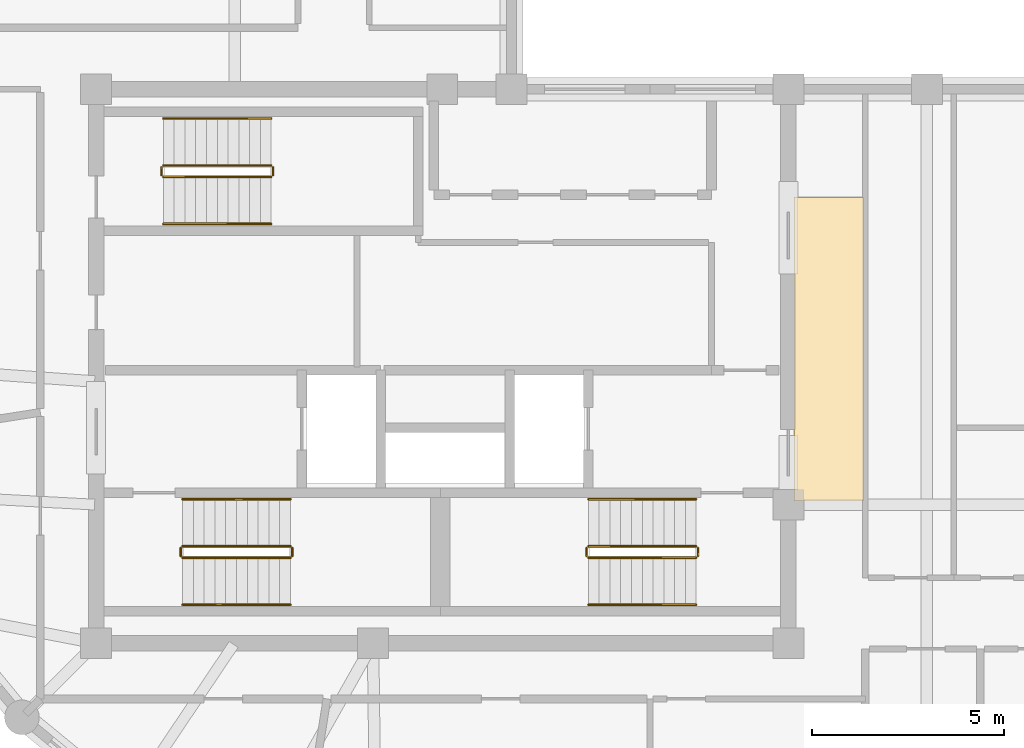
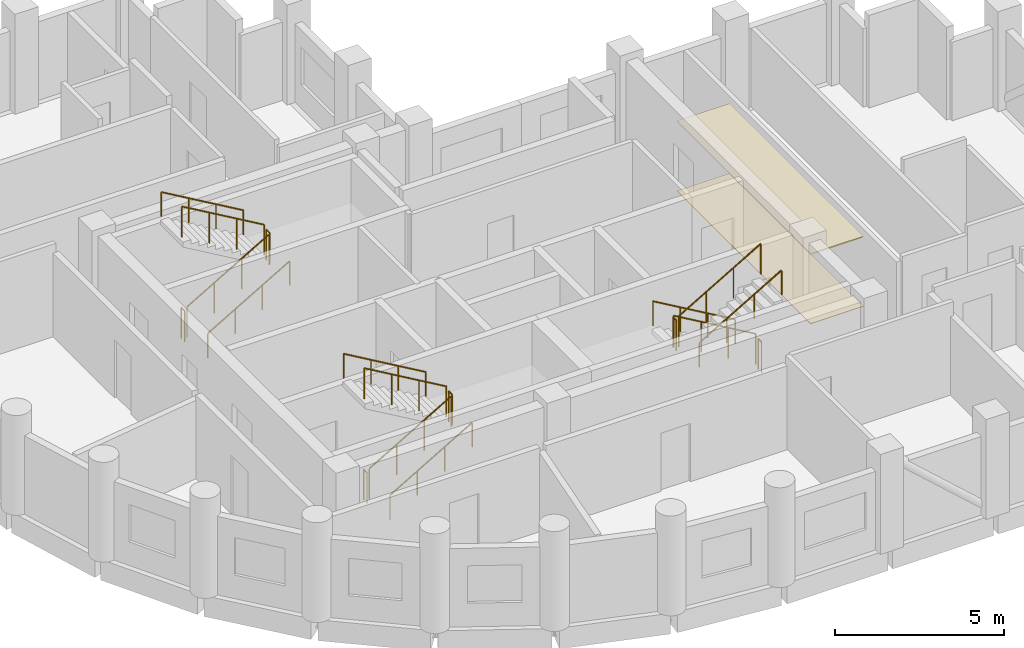
# One storey, part 6 of 6: 18 railings, 2 coverings.
"""IFC4 building model written with IfcOpenShell, lengths in metres."""

import ifcopenshell
import ifcopenshell.guid

model = None  # the IFC model being written
_history = None  # IfcOwnerHistory: only IFC2X3 demands one
_inside = {}  # id of a spatial element -> (the spatial element, [elements in it])
_under = {}  # id of a project, library or spatial element -> (it, [spatial elements below it])
_declared = {}  # id of a project -> (the project, [libraries it declares])
_typed = {}  # id of a type object -> (the type object, [elements of that type])
_made_of = {}  # id of a material, layer set ... -> (it, [elements and type objects made of it])


def new_model(schema):
    """Start an empty IFC model of exactly this schema.

    Asked for "IFC4X3", IfcOpenShell would pick the latest addendum, in which some entities
    have other attributes; the version numbers below select the first issue.
    IFC2X3 requires an IfcOwnerHistory on every rooted entity: one is made here for all.
    """
    global model, _history
    if schema == "IFC4X3":
        model = ifcopenshell.file(schema_version=(4, 3, 0, 0))
    else:
        model = ifcopenshell.file(schema=schema)
    _inside.clear()
    _under.clear()
    _declared.clear()
    _typed.clear()
    _made_of.clear()
    _history = None
    if model.schema == "IFC2X3":
        org = make("IfcOrganization", Name="unknown")
        user = make(
            "IfcPersonAndOrganization",
            ThePerson=make("IfcPerson", FamilyName="unknown"),
            TheOrganization=org,
        )
        app = make(
            "IfcApplication",
            ApplicationDeveloper=org,
            Version="unknown",
            ApplicationFullName="unknown",
            ApplicationIdentifier="unknown",
        )
        _history = make(
            "IfcOwnerHistory",
            OwningUser=user,
            OwningApplication=app,
            ChangeAction="ADDED",
            CreationDate=0,
        )
    return model


def make(cls, **values):
    """One entity of the class cls with the attributes given. An attribute that is None is left unset."""
    return model.create_entity(
        cls, **{name: value for name, value in values.items() if value is not None}
    )


def rooted(cls, **values):
    """An entity with a GlobalId (a new one), such as an element, a storey or a relation."""
    return make(cls, GlobalId=ifcopenshell.guid.new(), OwnerHistory=_history, **values)


def si_unit(unit_type, name, prefix=None):
    """IfcSIUnit, for example si_unit("LENGTHUNIT", "METRE", prefix="MILLI")."""
    return make("IfcSIUnit", UnitType=unit_type, Prefix=prefix, Name=name)


def assignment(units):
    """IfcUnitAssignment: the units of a project."""
    return None if units is None else make("IfcUnitAssignment", Units=units)


def point(xyz):
    """IfcCartesianPoint."""
    return None if xyz is None else make("IfcCartesianPoint", Coordinates=xyz)


def direction(xyz):
    """IfcDirection."""
    return None if xyz is None else make("IfcDirection", DirectionRatios=xyz)


def frame(location, z_axis=None, x_axis=None):
    """IfcAxis2Placement3D, a coordinate frame: its origin and axes. An axis left out is left unset."""
    return make(
        "IfcAxis2Placement3D",
        Location=point(location),
        Axis=direction(z_axis),
        RefDirection=direction(x_axis),
    )


def frame_2d(location, x_axis=None):
    """IfcAxis2Placement2D, a coordinate frame in the plane: its origin and x axis."""
    return make(
        "IfcAxis2Placement2D", Location=point(location), RefDirection=direction(x_axis)
    )


def origin():
    """The frame at (0, 0, 0) with its axes left unset."""
    return frame((0.0, 0.0, 0.0))


def origin_2d():
    """The frame at (0, 0) in the plane with its x axis left unset."""
    return frame_2d((0.0, 0.0))


def place(relative_to, where):
    """IfcLocalPlacement: puts the frame where relative to a parent placement (None: the world)."""
    return make(
        "IfcLocalPlacement", PlacementRelTo=relative_to, RelativePlacement=where
    )


def context(
    kind, dimensions, precision=None, world=None, true_north=None, identifier=None
):
    """IfcGeometricRepresentationContext, for example the 3D "Model" context."""
    return make(
        "IfcGeometricRepresentationContext",
        ContextIdentifier=identifier,
        ContextType=kind,
        CoordinateSpaceDimension=dimensions,
        Precision=precision,
        WorldCoordinateSystem=world,
        TrueNorth=true_north,
    )


def subcontext(parent, identifier, kind, view, scale=None):
    """IfcGeometricRepresentationSubContext, for example "Body" below "Model"."""
    return make(
        "IfcGeometricRepresentationSubContext",
        ContextIdentifier=identifier,
        ContextType=kind,
        ParentContext=parent,
        TargetScale=scale,
        TargetView=view,
    )


def project(units=None, contexts=None):
    """IfcProject with its units and contexts."""
    return rooted(
        "IfcProject",
        Name="project",
        RepresentationContexts=contexts,
        UnitsInContext=assignment(units),
    )


def spatial(cls, under=None, at=None, **own):
    """A site, building, storey or space (cls), placed at a placement, below another one or the project."""
    s = rooted(cls, ObjectPlacement=at, **own)
    if under is not None:
        _under.setdefault(under.id(), (under, []))[1].append(s)
    return s


def polyline(points):
    """IfcPolyline through the points."""
    return make("IfcPolyline", Points=[point(p) for p in points])


def profile(cls, at=None, kind="AREA", **sizes):
    """A parametric profile (cls). Its sizes go by their IFC names, for example OverallWidth=200.0."""
    return make(cls, ProfileType=kind, Position=at, **sizes)


def circle(**sizes):
    """IfcCircleProfileDef."""
    return profile("IfcCircleProfileDef", **sizes)


def outline(outer, holes=None, kind="AREA"):
    """IfcArbitraryClosedProfileDef: a profile drawn as a closed curve; with holes, ...WithVoids."""
    if holes is None:
        return make("IfcArbitraryClosedProfileDef", ProfileType=kind, OuterCurve=outer)
    return make(
        "IfcArbitraryProfileDefWithVoids",
        ProfileType=kind,
        OuterCurve=outer,
        InnerCurves=holes,
    )


def extrude(swept, where, along, depth):
    """IfcExtrudedAreaSolid: the profile swept, set in the frame where, extruded along a direction by depth."""
    return make(
        "IfcExtrudedAreaSolid",
        SweptArea=swept,
        Position=where,
        ExtrudedDirection=direction(along),
        Depth=depth,
    )


def shape(context_of_items, identifier, shape_type, items):
    """IfcShapeRepresentation: the items that make up one representation, for example the "Body"."""
    return make(
        "IfcShapeRepresentation",
        ContextOfItems=context_of_items,
        RepresentationIdentifier=identifier,
        RepresentationType=shape_type,
        Items=items,
    )


def material(Name=None, Category=None):
    """IfcMaterial."""
    return make("IfcMaterial", Name=Name, Category=Category)


def layer(
    of_material, thickness, ventilated=None, Name=None, Category=None, Priority=None
):
    """IfcMaterialLayer: one layer of a wall or slab, of a material (None: an air gap)."""
    return make(
        "IfcMaterialLayer",
        Material=of_material,
        LayerThickness=thickness,
        IsVentilated=ventilated,
        Name=Name,
        Category=Category,
        Priority=Priority,
    )


def layer_set(layers, Name=None):
    """IfcMaterialLayerSet."""
    return make("IfcMaterialLayerSet", MaterialLayers=layers, LayerSetName=Name)


def made_of(thing, what):
    """Note that an element or type object is made of a material, layer set ...; save() writes the relation."""
    if what is not None:
        _made_of.setdefault(what.id(), (what, []))[1].append(thing)
    return thing


def type_object(cls, material=None, **own):
    """A type object (cls), such as IfcWallType, which elements share."""
    return made_of(rooted(cls, **own), material)


def element(
    cls,
    number,
    at=None,
    inside=None,
    cuts=None,
    type_object=None,
    material=None,
    context=None,
    identifier="Body",
    shape_type=None,
    held_by="IfcProductDefinitionShape",
    body=None,
    shapes=None,
    **own,
):
    """One element of the class cls, such as IfcWall. Its Tag is "e" and its number.

    at: its placement. inside: the storey or other place that contains it. cuts: it is an
    opening in that element (IfcRelVoidsElement). A single representation is given by context,
    identifier, shape_type and body (its items); several are given by shapes. held_by: the class
    of the entity that holds the representations. save() writes the other relations.
    """
    e = rooted(cls, Tag="e%d" % number, ObjectPlacement=at, **own)
    if body is not None:
        shapes = [shape(context, identifier, shape_type, body)]
    if shapes is not None:
        e.Representation = make(held_by, Representations=shapes)
    if inside is not None:
        _inside.setdefault(inside.id(), (inside, []))[1].append(e)
    if cuts is not None:
        rooted(
            "IfcRelVoidsElement", RelatingBuildingElement=cuts, RelatedOpeningElement=e
        )
    if type_object is not None:
        _typed.setdefault(type_object.id(), (type_object, []))[1].append(e)
    return made_of(e, material)


def aggregate(whole, parts):
    """IfcRelAggregates: a whole, such as a stair, and the parts it consists of."""
    return rooted("IfcRelAggregates", RelatingObject=whole, RelatedObjects=parts)


def save(model, path):
    """Write the relations noted so far, then the file.

    IfcRelAggregates (storeys below a building ...), IfcRelContainedInSpatialStructure (elements
    in a storey), IfcRelDefinesByType, IfcRelAssociatesMaterial and IfcRelDeclares: one each for
    every whole, place, type object, material and project.
    """
    for whole, parts in _under.values():
        aggregate(whole, parts)
    for where, things in _inside.values():
        rooted(
            "IfcRelContainedInSpatialStructure",
            RelatedElements=things,
            RelatingStructure=where,
        )
    for kind, things in _typed.values():
        rooted("IfcRelDefinesByType", RelatedObjects=things, RelatingType=kind)
    for what, things in _made_of.values():
        rooted("IfcRelAssociatesMaterial", RelatedObjects=things, RelatingMaterial=what)
    for by, libraries in _declared.values():
        rooted("IfcRelDeclares", RelatingContext=by, RelatedDefinitions=libraries)
    model.write(path)


model = new_model("IFC4")

# Units and contexts
model_context = context("Model", 3, precision=1e-05, world=origin(), true_north=direction((0.0, 1.0)))
body_context = subcontext(model_context, "Body", "Model", "MODEL_VIEW")
ifc_project = project(units=[si_unit("LENGTHUNIT", "METRE"), si_unit("AREAUNIT", "SQUARE_METRE"), si_unit("VOLUMEUNIT", "CUBIC_METRE"), si_unit("PLANEANGLEUNIT", "RADIAN"), si_unit("MASSUNIT", "GRAM", prefix="KILO")], contexts=[model_context])

# Site, building, storey
site_placement = place(None, origin())
site = spatial("IfcSite", under=ifc_project, at=site_placement, CompositionType="ELEMENT")
building_placement = place(site_placement, origin())
building = spatial("IfcBuilding", under=site, at=building_placement, Name="Solnavia Interchange Tower", CompositionType="ELEMENT")
storey_placement = place(building_placement, frame((0.0, 0.0, 231.800048828125)))
storey = spatial("IfcBuildingStorey", under=building, at=storey_placement, Name="L58", CompositionType="ELEMENT", Elevation=231.800048828125)

# Coverings
ifc_material_1 = material(Name="Perforated Mineral-Fibre & Gypsum Ceiling", Category="gypsum")
ifc_layer_1 = layer(ifc_material_1, 0.0400390625)
ifc_layer_set_1 = layer_set([ifc_layer_1], Name="Perforated Mineral-Fibre & Gypsum Ceiling")
covering_type_1 = type_object("IfcCoveringType", Name="Covering-Ceiling-Acoustic40", PredefinedType="CEILING", material=ifc_layer_set_1)
covering_1_placement = place(storey_placement, frame((0.0, 0.0, 2.5)))
element("IfcCovering", 1, at=covering_1_placement, inside=storey, type_object=covering_type_1, Name="CLG-L58-01 Circulation suspended acoustic ceiling", PredefinedType="CEILING", context=body_context, shape_type="SweptSolid", body=[
    extrude(outline(polyline([(32.550048828125, 14.5), (34.35009765625, 14.5), (34.35009765625, 22.39990234375), (32.550048828125, 22.39990234375), (32.550048828125, 14.5)])), origin(), (0.0, 0.0, 1.0), 0.0400390625),
])
ifc_material_2 = material(Name="Engineered European Oak Flooring", Category="wood")
ifc_layer_2 = layer(ifc_material_2, 0.02001953125)
ifc_layer_set_2 = layer_set([ifc_layer_2], Name="Engineered European Oak Flooring")
covering_type_2 = type_object("IfcCoveringType", Name="Covering-Flooring-Timber20", PredefinedType="FLOORING", material=ifc_layer_set_2)
covering_2_placement = place(storey_placement, origin())
element("IfcCovering", 2, at=covering_2_placement, inside=storey, type_object=covering_type_2, Name="FLR-L58-01 Circulation floor finish", PredefinedType="FLOORING", context=body_context, shape_type="SweptSolid", body=[
    extrude(outline(polyline([(32.550048828125, 14.5), (34.35009765625, 14.5), (34.35009765625, 22.39990234375), (32.550048828125, 22.39990234375), (32.550048828125, 14.5)])), origin(), (0.0, 0.0, 1.0), 0.02001953125),
])

# Railings
ifc_material_3 = material(Name="Painted Steel Balustrade", Category="steel")
railing_type_1 = type_object("IfcRailingType", Name="Railing-StairGuard-1100", PredefinedType="GUARDRAIL", material=ifc_material_3)
railing_1_placement = place(storey_placement, frame((16.64990234375, 13.02001953125, 0.16357421875)))
element("IfcRailing", 3, at=railing_1_placement, inside=storey, type_object=railing_type_1, Name="L58 ST-1 stair guard 1", PredefinedType="GUARDRAIL", context=body_context, shape_type="SweptSolid", body=[
    extrude(circle(Radius=0.02392578125, at=origin_2d()), frame((0.0, 0.0, 1.09619140625), z_axis=(0.863360870873, 0.0, 0.504586966384), x_axis=(0.0, 1.0, 0.0)), (0.0, 0.0, 1.0), 3.2431640625),
    extrude(circle(Radius=0.02099609375, at=origin_2d()), origin(), (0.0, 0.0, 1.0), 1.072021484375),
    extrude(circle(Radius=0.02099609375, at=origin_2d()), frame((0.933349609375, 0.0, 0.54541015625)), (0.0, 0.0, 1.0), 1.072021484375),
    extrude(circle(Radius=0.02099609375, at=origin_2d()), frame((1.86669921875, 0.0, 1.091064453125)), (0.0, 0.0, 1.0), 1.072021484375),
    extrude(circle(Radius=0.02099609375, at=origin_2d()), frame((2.800048828125, 0.0, 1.636474609375)), (0.0, 0.0, 1.0), 1.072021484375),
])
railing_2_placement = place(storey_placement, frame((19.5, 13.070068359375, 1.800048828125)))
element("IfcRailing", 4, at=railing_2_placement, inside=storey, type_object=railing_type_1, Name="L58 ST-1 stair guard 2", PredefinedType="GUARDRAIL", context=body_context, shape_type="SweptSolid", body=[
    extrude(circle(Radius=0.02392578125, at=origin_2d()), frame((0.0, 0.0, 1.09619140625), z_axis=(0.0, 1.0, 0.0), x_axis=(-1.0, 0.0, 0.0)), (0.0, 0.0, 1.0), 0.199951171875),
    extrude(circle(Radius=0.02099609375, at=origin_2d()), origin(), (0.0, 0.0, 1.0), 1.072021484375),
    extrude(circle(Radius=0.02099609375, at=origin_2d()), frame((0.0, 0.199951171875, 0.0)), (0.0, 0.0, 1.0), 1.072021484375),
])
railing_3_placement = place(storey_placement, frame((19.449951171875, 13.320068359375, 1.963623046875)))
element("IfcRailing", 5, at=railing_3_placement, inside=storey, type_object=railing_type_1, Name="L58 ST-1 stair guard 3", PredefinedType="GUARDRAIL", context=body_context, shape_type="SweptSolid", body=[
    extrude(circle(Radius=0.02392578125, at=origin_2d()), frame((0.0, 0.0, 1.09619140625), z_axis=(-0.863393664356, 0.0, 0.504530851732), x_axis=(0.0, -1.0, 0.0)), (0.0, 0.0, 1.0), 3.2431640625),
    extrude(circle(Radius=0.02099609375, at=origin_2d()), origin(), (0.0, 0.0, 1.0), 1.072021484375),
    extrude(circle(Radius=0.02099609375, at=origin_2d()), frame((-0.933349609375, 0.0, 0.54541015625)), (0.0, 0.0, 1.0), 1.072021484375),
    extrude(circle(Radius=0.02099609375, at=origin_2d()), frame((-1.86669921875, 0.0, 1.0908203125)), (0.0, 0.0, 1.0), 1.072021484375),
    extrude(circle(Radius=0.02099609375, at=origin_2d()), frame((-2.800048828125, 0.0, 1.63623046875)), (0.0, 0.0, 1.0), 1.072021484375),
])
railing_4_placement = place(storey_placement, frame((16.60009765625, 13.070068359375, 0.0)))
element("IfcRailing", 6, at=railing_4_placement, inside=storey, type_object=railing_type_1, Name="L58 ST-1 stair guard 4", PredefinedType="GUARDRAIL", context=body_context, shape_type="SweptSolid", body=[
    extrude(circle(Radius=0.02392578125, at=origin_2d()), frame((0.0, 0.0, 1.09619140625), z_axis=(0.0, 1.0, 0.0), x_axis=(-1.0, 0.0, 0.0)), (0.0, 0.0, 1.0), 0.199951171875),
    extrude(circle(Radius=0.02099609375, at=origin_2d()), origin(), (0.0, 0.0, 1.0), 1.072021484375),
    extrude(circle(Radius=0.02099609375, at=origin_2d()), frame((0.0, 0.199951171875, 0.0)), (0.0, 0.0, 1.0), 1.072021484375),
])
railing_5_placement = place(storey_placement, frame((30.0, 13.320068359375, 0.16357421875)))
element("IfcRailing", 7, at=railing_5_placement, inside=storey, type_object=railing_type_1, Name="L58 ST-2 stair guard 1", PredefinedType="GUARDRAIL", context=body_context, shape_type="SweptSolid", body=[
    extrude(circle(Radius=0.02392578125, at=origin_2d()), frame((0.0, 0.0, 1.09619140625), z_axis=(-0.863360870873, 0.0, 0.504586966384), x_axis=(0.0, -1.0, 0.0)), (0.0, 0.0, 1.0), 3.2431640625),
    extrude(circle(Radius=0.02099609375, at=origin_2d()), origin(), (0.0, 0.0, 1.0), 1.072021484375),
    extrude(circle(Radius=0.02099609375, at=origin_2d()), frame((-0.933349609375, 0.0, 0.54541015625)), (0.0, 0.0, 1.0), 1.072021484375),
    extrude(circle(Radius=0.02099609375, at=origin_2d()), frame((-1.86669921875, 0.0, 1.091064453125)), (0.0, 0.0, 1.0), 1.072021484375),
    extrude(circle(Radius=0.02099609375, at=origin_2d()), frame((-2.800048828125, 0.0, 1.636474609375)), (0.0, 0.0, 1.0), 1.072021484375),
])
railing_6_placement = place(storey_placement, frame((27.14990234375, 13.27001953125, 1.800048828125)))
element("IfcRailing", 8, at=railing_6_placement, inside=storey, type_object=railing_type_1, Name="L58 ST-2 stair guard 2", PredefinedType="GUARDRAIL", context=body_context, shape_type="SweptSolid", body=[
    extrude(circle(Radius=0.02392578125, at=origin_2d()), frame((0.0, 0.0, 1.09619140625), z_axis=(0.0, -1.0, 0.0), x_axis=(1.0, 0.0, 0.0)), (0.0, 0.0, 1.0), 0.199951171875),
    extrude(circle(Radius=0.02099609375, at=origin_2d()), origin(), (0.0, 0.0, 1.0), 1.072021484375),
    extrude(circle(Radius=0.02099609375, at=origin_2d()), frame((0.0, -0.199951171875, 0.0)), (0.0, 0.0, 1.0), 1.072021484375),
])
railing_7_placement = place(storey_placement, frame((27.199951171875, 13.02001953125, 1.963623046875)))
element("IfcRailing", 9, at=railing_7_placement, inside=storey, type_object=railing_type_1, Name="L58 ST-2 stair guard 3", PredefinedType="GUARDRAIL", context=body_context, shape_type="SweptSolid", body=[
    extrude(circle(Radius=0.02392578125, at=origin_2d()), frame((0.0, 0.0, 1.09619140625), z_axis=(0.863393664356, 0.0, 0.504530851732), x_axis=(0.0, 1.0, 0.0)), (0.0, 0.0, 1.0), 3.2431640625),
    extrude(circle(Radius=0.02099609375, at=origin_2d()), origin(), (0.0, 0.0, 1.0), 1.072021484375),
    extrude(circle(Radius=0.02099609375, at=origin_2d()), frame((0.933349609375, 0.0, 0.54541015625)), (0.0, 0.0, 1.0), 1.072021484375),
    extrude(circle(Radius=0.02099609375, at=origin_2d()), frame((1.86669921875, 0.0, 1.0908203125)), (0.0, 0.0, 1.0), 1.072021484375),
    extrude(circle(Radius=0.02099609375, at=origin_2d()), frame((2.800048828125, 0.0, 1.63623046875)), (0.0, 0.0, 1.0), 1.072021484375),
])
railing_8_placement = place(storey_placement, frame((30.050048828125, 13.27001953125, 0.0)))
element("IfcRailing", 10, at=railing_8_placement, inside=storey, type_object=railing_type_1, Name="L58 ST-2 stair guard 4", PredefinedType="GUARDRAIL", context=body_context, shape_type="SweptSolid", body=[
    extrude(circle(Radius=0.02392578125, at=origin_2d()), frame((0.0, 0.0, 1.09619140625), z_axis=(0.0, -1.0, 0.0), x_axis=(1.0, 0.0, 0.0)), (0.0, 0.0, 1.0), 0.199951171875),
    extrude(circle(Radius=0.02099609375, at=origin_2d()), origin(), (0.0, 0.0, 1.0), 1.072021484375),
    extrude(circle(Radius=0.02099609375, at=origin_2d()), frame((0.0, -0.199951171875, 0.0)), (0.0, 0.0, 1.0), 1.072021484375),
])
railing_9_placement = place(storey_placement, frame((16.14990234375, 22.919921875, 0.16357421875)))
element("IfcRailing", 11, at=railing_9_placement, inside=storey, type_object=railing_type_1, Name="L58 ST-3 stair guard 1", PredefinedType="GUARDRAIL", context=body_context, shape_type="SweptSolid", body=[
    extrude(circle(Radius=0.02392578125, at=origin_2d()), frame((0.0, 0.0, 1.09619140625), z_axis=(0.863360870873, 0.0, 0.504586966384), x_axis=(0.0, 1.0, 0.0)), (0.0, 0.0, 1.0), 3.2431640625),
    extrude(circle(Radius=0.02099609375, at=origin_2d()), origin(), (0.0, 0.0, 1.0), 1.072021484375),
    extrude(circle(Radius=0.02099609375, at=origin_2d()), frame((0.933349609375, 0.0, 0.54541015625)), (0.0, 0.0, 1.0), 1.072021484375),
    extrude(circle(Radius=0.02099609375, at=origin_2d()), frame((1.86669921875, 0.0, 1.091064453125)), (0.0, 0.0, 1.0), 1.072021484375),
    extrude(circle(Radius=0.02099609375, at=origin_2d()), frame((2.800048828125, 0.0, 1.636474609375)), (0.0, 0.0, 1.0), 1.072021484375),
])
railing_10_placement = place(storey_placement, frame((19.0, 22.969970703125, 1.800048828125)))
element("IfcRailing", 12, at=railing_10_placement, inside=storey, type_object=railing_type_1, Name="L58 ST-3 stair guard 2", PredefinedType="GUARDRAIL", context=body_context, shape_type="SweptSolid", body=[
    extrude(circle(Radius=0.02392578125, at=origin_2d()), frame((0.0, 0.0, 1.09619140625), z_axis=(0.0, 1.0, 0.0), x_axis=(-1.0, 0.0, 0.0)), (0.0, 0.0, 1.0), 0.199951171875),
    extrude(circle(Radius=0.02099609375, at=origin_2d()), origin(), (0.0, 0.0, 1.0), 1.072021484375),
    extrude(circle(Radius=0.02099609375, at=origin_2d()), frame((0.0, 0.199951171875, 0.0)), (0.0, 0.0, 1.0), 1.072021484375),
])
railing_11_placement = place(storey_placement, frame((18.949951171875, 23.219970703125, 1.963623046875)))
element("IfcRailing", 13, at=railing_11_placement, inside=storey, type_object=railing_type_1, Name="L58 ST-3 stair guard 3", PredefinedType="GUARDRAIL", context=body_context, shape_type="SweptSolid", body=[
    extrude(circle(Radius=0.02392578125, at=origin_2d()), frame((0.0, 0.0, 1.09619140625), z_axis=(-0.863393664356, 0.0, 0.504530851732), x_axis=(0.0, -1.0, 0.0)), (0.0, 0.0, 1.0), 3.2431640625),
    extrude(circle(Radius=0.02099609375, at=origin_2d()), origin(), (0.0, 0.0, 1.0), 1.072021484375),
    extrude(circle(Radius=0.02099609375, at=origin_2d()), frame((-0.933349609375, 0.0, 0.54541015625)), (0.0, 0.0, 1.0), 1.072021484375),
    extrude(circle(Radius=0.02099609375, at=origin_2d()), frame((-1.86669921875, 0.0, 1.0908203125)), (0.0, 0.0, 1.0), 1.072021484375),
    extrude(circle(Radius=0.02099609375, at=origin_2d()), frame((-2.800048828125, 0.0, 1.63623046875)), (0.0, 0.0, 1.0), 1.072021484375),
])
railing_12_placement = place(storey_placement, frame((16.10009765625, 22.969970703125, 0.0)))
element("IfcRailing", 14, at=railing_12_placement, inside=storey, type_object=railing_type_1, Name="L58 ST-3 stair guard 4", PredefinedType="GUARDRAIL", context=body_context, shape_type="SweptSolid", body=[
    extrude(circle(Radius=0.02392578125, at=origin_2d()), frame((0.0, 0.0, 1.09619140625), z_axis=(0.0, 1.0, 0.0), x_axis=(-1.0, 0.0, 0.0)), (0.0, 0.0, 1.0), 0.199951171875),
    extrude(circle(Radius=0.02099609375, at=origin_2d()), origin(), (0.0, 0.0, 1.0), 1.072021484375),
    extrude(circle(Radius=0.02099609375, at=origin_2d()), frame((0.0, 0.199951171875, 0.0)), (0.0, 0.0, 1.0), 1.072021484375),
])
ifc_material_4 = material(Name="Brushed Stainless Steel", Category="steel")
railing_type_2 = type_object("IfcRailingType", Name="Railing-StairHandrail-900", PredefinedType="HANDRAIL", material=ifc_material_4)
railing_13_placement = place(storey_placement, frame((16.64990234375, 11.800048828125, 0.16357421875)))
element("IfcRailing", 15, at=railing_13_placement, inside=storey, type_object=railing_type_2, Name="L58 ST-1 stair handrail 1", PredefinedType="HANDRAIL", context=body_context, shape_type="SweptSolid", body=[
    extrude(circle(Radius=0.02392578125, at=origin_2d()), frame((0.0, 0.0, 0.8759765625), z_axis=(0.863360870873, 0.0, 0.504586966384), x_axis=(0.0, 1.0, 0.0)), (0.0, 0.0, 1.0), 3.2431640625),
    extrude(circle(Radius=0.02099609375, at=origin_2d()), origin(), (0.0, 0.0, 1.0), 0.851806640625),
    extrude(circle(Radius=0.02099609375, at=origin_2d()), frame((0.933349609375, 0.0, 0.54541015625)), (0.0, 0.0, 1.0), 0.851806640625),
    extrude(circle(Radius=0.02099609375, at=origin_2d()), frame((1.86669921875, 0.0, 1.091064453125)), (0.0, 0.0, 1.0), 0.851806640625),
    extrude(circle(Radius=0.02099609375, at=origin_2d()), frame((2.800048828125, 0.0, 1.636474609375)), (0.0, 0.0, 1.0), 0.851806640625),
])
railing_14_placement = place(storey_placement, frame((19.449951171875, 14.5400390625, 1.963623046875)))
element("IfcRailing", 16, at=railing_14_placement, inside=storey, type_object=railing_type_2, Name="L58 ST-1 stair handrail 2", PredefinedType="HANDRAIL", context=body_context, shape_type="SweptSolid", body=[
    extrude(circle(Radius=0.02392578125, at=origin_2d()), frame((0.0, 0.0, 0.8759765625), z_axis=(-0.863393664356, 0.0, 0.504530851732), x_axis=(0.0, -1.0, 0.0)), (0.0, 0.0, 1.0), 3.2431640625),
    extrude(circle(Radius=0.02099609375, at=origin_2d()), origin(), (0.0, 0.0, 1.0), 0.851806640625),
    extrude(circle(Radius=0.02099609375, at=origin_2d()), frame((-0.933349609375, 0.0, 0.54541015625)), (0.0, 0.0, 1.0), 0.851806640625),
    extrude(circle(Radius=0.02099609375, at=origin_2d()), frame((-1.86669921875, 0.0, 1.0908203125)), (0.0, 0.0, 1.0), 0.851806640625),
    extrude(circle(Radius=0.02099609375, at=origin_2d()), frame((-2.800048828125, 0.0, 1.63623046875)), (0.0, 0.0, 1.0), 0.851806640625),
])
railing_15_placement = place(storey_placement, frame((30.0, 14.5400390625, 0.16357421875)))
element("IfcRailing", 17, at=railing_15_placement, inside=storey, type_object=railing_type_2, Name="L58 ST-2 stair handrail 1", PredefinedType="HANDRAIL", context=body_context, shape_type="SweptSolid", body=[
    extrude(circle(Radius=0.02392578125, at=origin_2d()), frame((0.0, 0.0, 0.8759765625), z_axis=(-0.863360870873, 0.0, 0.504586966384), x_axis=(0.0, -1.0, 0.0)), (0.0, 0.0, 1.0), 3.2431640625),
    extrude(circle(Radius=0.02099609375, at=origin_2d()), origin(), (0.0, 0.0, 1.0), 0.851806640625),
    extrude(circle(Radius=0.02099609375, at=origin_2d()), frame((-0.933349609375, 0.0, 0.54541015625)), (0.0, 0.0, 1.0), 0.851806640625),
    extrude(circle(Radius=0.02099609375, at=origin_2d()), frame((-1.86669921875, 0.0, 1.091064453125)), (0.0, 0.0, 1.0), 0.851806640625),
    extrude(circle(Radius=0.02099609375, at=origin_2d()), frame((-2.800048828125, 0.0, 1.636474609375)), (0.0, 0.0, 1.0), 0.851806640625),
])
railing_16_placement = place(storey_placement, frame((27.199951171875, 11.800048828125, 1.963623046875)))
element("IfcRailing", 18, at=railing_16_placement, inside=storey, type_object=railing_type_2, Name="L58 ST-2 stair handrail 2", PredefinedType="HANDRAIL", context=body_context, shape_type="SweptSolid", body=[
    extrude(circle(Radius=0.02392578125, at=origin_2d()), frame((0.0, 0.0, 0.8759765625), z_axis=(0.863393664356, 0.0, 0.504530851732), x_axis=(0.0, 1.0, 0.0)), (0.0, 0.0, 1.0), 3.2431640625),
    extrude(circle(Radius=0.02099609375, at=origin_2d()), origin(), (0.0, 0.0, 1.0), 0.851806640625),
    extrude(circle(Radius=0.02099609375, at=origin_2d()), frame((0.933349609375, 0.0, 0.54541015625)), (0.0, 0.0, 1.0), 0.851806640625),
    extrude(circle(Radius=0.02099609375, at=origin_2d()), frame((1.86669921875, 0.0, 1.0908203125)), (0.0, 0.0, 1.0), 0.851806640625),
    extrude(circle(Radius=0.02099609375, at=origin_2d()), frame((2.800048828125, 0.0, 1.63623046875)), (0.0, 0.0, 1.0), 0.851806640625),
])
railing_17_placement = place(storey_placement, frame((16.14990234375, 21.699951171875, 0.16357421875)))
element("IfcRailing", 19, at=railing_17_placement, inside=storey, type_object=railing_type_2, Name="L58 ST-3 stair handrail 1", PredefinedType="HANDRAIL", context=body_context, shape_type="SweptSolid", body=[
    extrude(circle(Radius=0.02392578125, at=origin_2d()), frame((0.0, 0.0, 0.8759765625), z_axis=(0.863360870873, 0.0, 0.504586966384), x_axis=(0.0, 1.0, 0.0)), (0.0, 0.0, 1.0), 3.2431640625),
    extrude(circle(Radius=0.02099609375, at=origin_2d()), origin(), (0.0, 0.0, 1.0), 0.851806640625),
    extrude(circle(Radius=0.02099609375, at=origin_2d()), frame((0.933349609375, 0.0, 0.54541015625)), (0.0, 0.0, 1.0), 0.851806640625),
    extrude(circle(Radius=0.02099609375, at=origin_2d()), frame((1.86669921875, 0.0, 1.091064453125)), (0.0, 0.0, 1.0), 0.851806640625),
    extrude(circle(Radius=0.02099609375, at=origin_2d()), frame((2.800048828125, 0.0, 1.636474609375)), (0.0, 0.0, 1.0), 0.851806640625),
])
railing_18_placement = place(storey_placement, frame((18.949951171875, 24.43994140625, 1.963623046875)))
element("IfcRailing", 20, at=railing_18_placement, inside=storey, type_object=railing_type_2, Name="L58 ST-3 stair handrail 2", PredefinedType="HANDRAIL", context=body_context, shape_type="SweptSolid", body=[
    extrude(circle(Radius=0.02392578125, at=origin_2d()), frame((0.0, 0.0, 0.8759765625), z_axis=(-0.863393664356, 0.0, 0.504530851732), x_axis=(0.0, -1.0, 0.0)), (0.0, 0.0, 1.0), 3.2431640625),
    extrude(circle(Radius=0.02099609375, at=origin_2d()), origin(), (0.0, 0.0, 1.0), 0.851806640625),
    extrude(circle(Radius=0.02099609375, at=origin_2d()), frame((-0.933349609375, 0.0, 0.54541015625)), (0.0, 0.0, 1.0), 0.851806640625),
    extrude(circle(Radius=0.02099609375, at=origin_2d()), frame((-1.86669921875, 0.0, 1.0908203125)), (0.0, 0.0, 1.0), 0.851806640625),
    extrude(circle(Radius=0.02099609375, at=origin_2d()), frame((-2.800048828125, 0.0, 1.63623046875)), (0.0, 0.0, 1.0), 0.851806640625),
])

save(model, "model.ifc")
